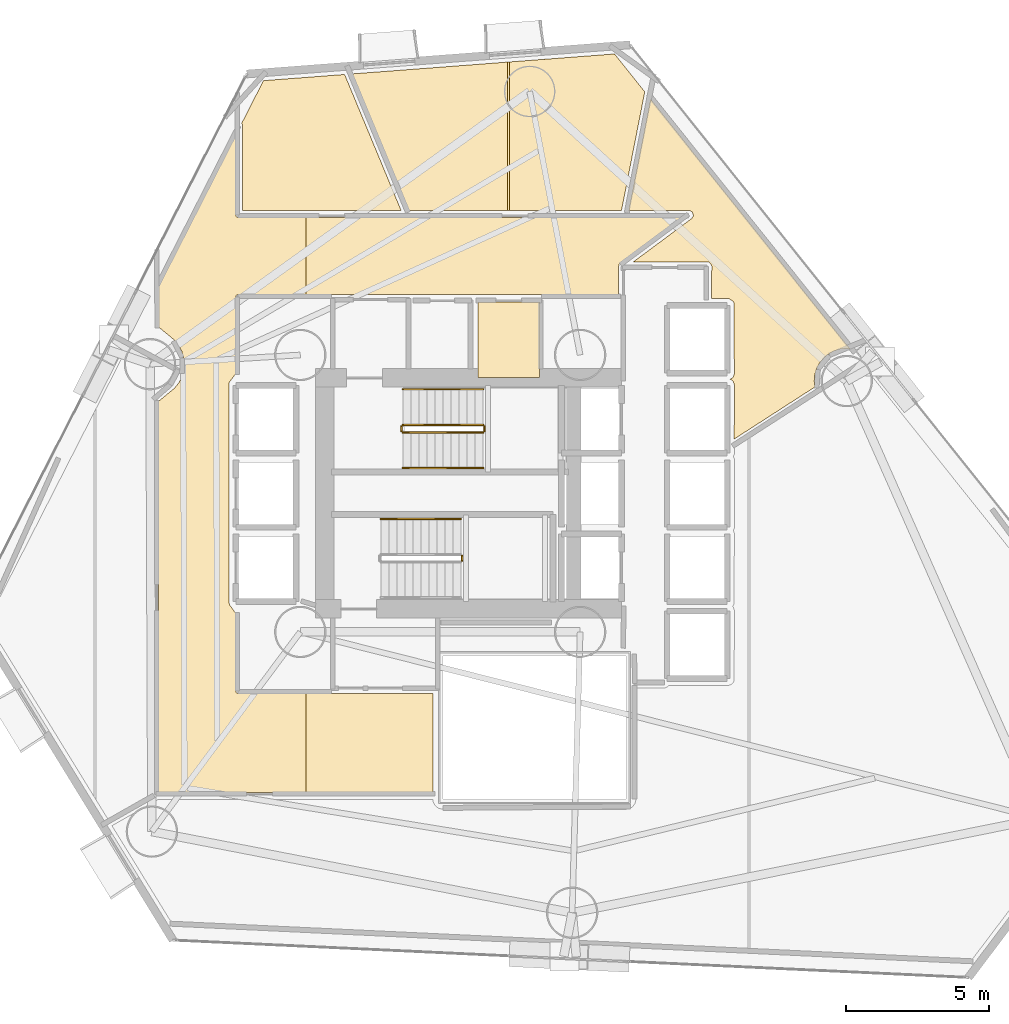
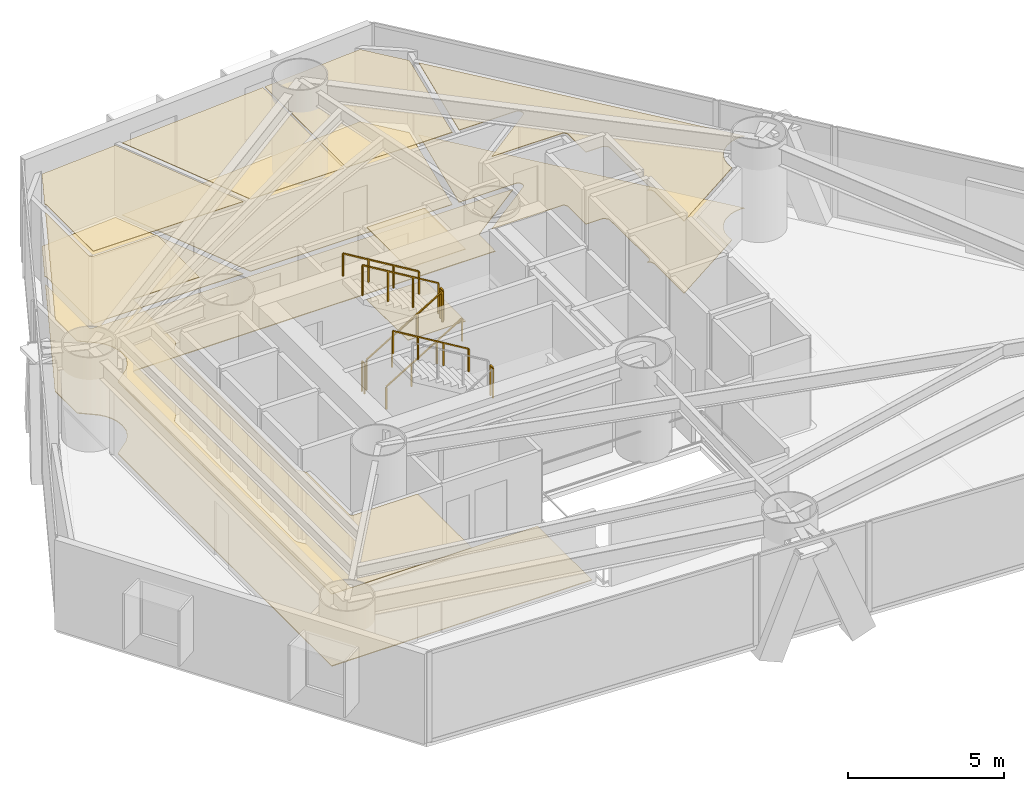
# One storey, part 22 of 23: 11 coverings, 8 railings.
"""IFC4 building model written with IfcOpenShell, lengths in metres."""

from ifc_helpers import new_model, si_unit, direction, frame, origin, origin_2d, place, context, subcontext, project, spatial, polyline, rectangle, outline, extrude, material, layer, layer_set, type_object, element, save


model = new_model("IFC4")

# Units and contexts
model_context = context("Model", 3, precision=1e-05, world=origin(), true_north=direction((0.0, 1.0)))
body_context = subcontext(model_context, "Body", "Model", "MODEL_VIEW")
ifc_project = project(units=[si_unit("LENGTHUNIT", "METRE"), si_unit("AREAUNIT", "SQUARE_METRE"), si_unit("VOLUMEUNIT", "CUBIC_METRE"), si_unit("PLANEANGLEUNIT", "RADIAN"), si_unit("MASSUNIT", "GRAM", prefix="KILO")], contexts=[model_context])

# Site, building, storey
site_placement = place(None, origin())
site = spatial("IfcSite", under=ifc_project, at=site_placement, CompositionType="ELEMENT")
building_placement = place(site_placement, origin())
building = spatial("IfcBuilding", under=site, at=building_placement, Name="Qianvela Tower", CompositionType="ELEMENT")
storey_placement = place(building_placement, frame((0.0, 0.0, 29.39990234375)))
storey = spatial("IfcBuildingStorey", under=building, at=storey_placement, Name="L06", CompositionType="ELEMENT", Elevation=29.39990234375)

# Coverings
ifc_material_1 = material(Name="Perforated Mineral Acoustic Ceiling Tile")
ifc_layer_1 = layer(ifc_material_1, 0.02490234375)
ifc_layer_set_1 = layer_set([ifc_layer_1], Name="Perforated Mineral Acoustic Ceiling Tile")
covering_type_1 = type_object("IfcCoveringType", Name="COV-CEIL-ACOUSTIC-25", PredefinedType="CEILING", material=ifc_layer_set_1)
covering_1_placement = place(storey_placement, frame((0.0, 0.0, 2.815185546875)))
element("IfcCovering", 1, at=covering_1_placement, inside=storey, type_object=covering_type_1, Name="L06 Acoustic Ceiling L06 Core Tea Pantry", PredefinedType="CEILING", context=body_context, shape_type="SweptSolid", body=[
    extrude(outline(polyline([(36.969970703125, 32.760009765625), (34.830078125, 32.760009765625), (34.830078125, 35.39990234375), (36.969970703125, 35.39990234375), (36.969970703125, 32.760009765625)])), origin(), (0.0, 0.0, 1.0), 0.02490234375),
])
covering_2_placement = place(storey_placement, frame((0.0, 0.0, 2.815185546875)))
element("IfcCovering", 2, at=covering_2_placement, inside=storey, type_object=covering_type_1, Name="L06 Acoustic Ceiling Bay 1 L06 Floor Corridor", PredefinedType="CEILING", context=body_context, shape_type="SweptSolid", body=[
    extrude(outline(polyline([(24.514892578125, 33.462158203125), (24.512939453125, 33.4697265625), (24.44921875, 33.6796875), (24.44677734375, 33.687255859375), (24.443359375, 33.6943359375), (24.33984375, 33.887939453125), (24.335693359375, 33.894775390625), (24.3310546875, 33.90087890625), (24.19189453125, 34.07080078125), (24.1865234375, 34.076416015625), (24.1806640625, 34.081787109375), (23.635498046875, 34.529296875), (23.630126953125, 35.9462890625), (26.340087890625, 41.255615234375), (26.340087890625, 38.449951171875), (26.34033203125, 38.442138671875), (26.341552734375, 38.434326171875), (26.343505859375, 38.4267578125), (26.34619140625, 38.41943359375), (26.349365234375, 38.412353515625), (26.353515625, 38.405517578125), (26.358154296875, 38.399169921875), (26.36328125, 38.393310546875), (26.369140625, 38.38818359375), (26.37548828125, 38.383544921875), (26.38232421875, 38.37939453125), (26.389404296875, 38.376220703125), (26.396728515625, 38.373291015625), (26.404296875, 38.37158203125), (26.412109375, 38.370361328125), (26.419921875, 38.3701171875), (28.799560546875, 38.3701171875), (28.799560546875, 35.659912109375), (26.419921875, 35.659912109375), (26.412109375, 35.65966796875), (26.404296875, 35.658447265625), (26.396728515625, 35.656494140625), (26.389404296875, 35.65380859375), (26.38232421875, 35.650634765625), (26.37548828125, 35.646484375), (26.369140625, 35.641845703125), (26.36328125, 35.63671875), (26.358154296875, 35.630859375), (26.353515625, 35.62451171875), (26.349365234375, 35.61767578125), (26.34619140625, 35.610595703125), (26.343505859375, 35.603271484375), (26.341552734375, 35.595703125), (26.34033203125, 35.587890625), (26.340087890625, 35.580078125), (26.340087890625, 32.89599609375), (26.11572265625, 32.593505859375), (26.11181640625, 32.587646484375), (26.108154296875, 32.581298828125), (26.105224609375, 32.574462890625), (26.10302734375, 32.567626953125), (26.101318359375, 32.560546875), (26.100341796875, 32.55322265625), (26.10009765625, 32.5458984375), (26.10009765625, 24.89990234375), (26.100341796875, 24.89208984375), (26.1015625, 24.884521484375), (26.103515625, 24.876708984375), (26.126953125, 24.799072265625), (26.12939453125, 24.79248046875), (26.132080078125, 24.786376953125), (26.135498046875, 24.7802734375), (26.139404296875, 24.774658203125), (26.340087890625, 24.50390625), (26.340087890625, 21.780029296875), (26.34033203125, 21.772216796875), (26.341552734375, 21.764404296875), (26.343505859375, 21.7568359375), (26.34619140625, 21.74951171875), (26.349365234375, 21.7421875), (26.353515625, 21.735595703125), (26.358154296875, 21.729248046875), (26.36328125, 21.723388671875), (26.369140625, 21.71826171875), (26.37548828125, 21.71337890625), (26.38232421875, 21.70947265625), (26.389404296875, 21.7060546875), (26.396728515625, 21.703369140625), (26.404296875, 21.701416015625), (26.412109375, 21.700439453125), (26.419921875, 21.699951171875), (28.799560546875, 21.699951171875), (28.799560546875, 18.22998046875), (23.6298828125, 18.22998046875), (23.6298828125, 31.922119140625), (24.1806640625, 32.374267578125), (24.1865234375, 32.37939453125), (24.19189453125, 32.38525390625), (24.3310546875, 32.554931640625), (24.335693359375, 32.561279296875), (24.33984375, 32.568115234375), (24.49609375, 32.8603515625), (24.49951171875, 32.867431640625), (24.502197265625, 32.875), (24.50390625, 32.882568359375), (24.505126953125, 32.890380859375), (24.53759765625, 33.22021484375), (24.5380859375, 33.22802734375), (24.53759765625, 33.23583984375), (24.51611328125, 33.454345703125), (24.514892578125, 33.462158203125)])), origin(), (0.0, 0.0, 1.0), 0.02490234375),
])
covering_3_placement = place(storey_placement, frame((0.0, 0.0, 2.815185546875)))
element("IfcCovering", 3, at=covering_3_placement, inside=storey, type_object=covering_type_1, Name="L06 Acoustic Ceiling Floor Dining Kitchen L06-03", PredefinedType="CEILING", context=body_context, shape_type="SweptSolid", body=[
    extrude(outline(polyline([(43.640380859375, 32.699951171875), (43.722412109375, 32.739013671875), (43.729248046875, 32.74267578125), (43.73583984375, 32.746826171875), (43.741943359375, 32.751953125), (43.74755859375, 32.757568359375), (43.75244140625, 32.763427734375), (43.7568359375, 32.77001953125), (43.760498046875, 32.777099609375), (43.763427734375, 32.7841796875), (43.79541015625, 32.873046875), (43.79736328125, 32.879638671875), (43.798828125, 32.88671875), (43.7998046875, 32.8935546875), (43.800048828125, 32.900390625), (43.783447265625, 35.366455078125), (43.782958984375, 35.374267578125), (43.78173828125, 35.382080078125), (43.77978515625, 35.3896484375), (43.77734375, 35.39697265625), (43.77392578125, 35.40380859375), (43.77001953125, 35.41064453125), (43.76513671875, 35.4169921875), (43.760009765625, 35.422607421875), (43.754150390625, 35.427978515625), (43.747802734375, 35.4326171875), (43.63818359375, 35.505859375), (43.63134765625, 35.510009765625), (43.62451171875, 35.51318359375), (43.616943359375, 35.515869140625), (43.609375, 35.517822265625), (43.6015625, 35.518798828125), (43.59375, 35.519287109375), (43.0, 35.52001953125), (43.010009765625, 36.6494140625), (43.009765625, 36.6572265625), (43.008544921875, 36.6650390625), (43.006591796875, 36.6728515625), (43.00390625, 36.680419921875), (43.00048828125, 36.6875), (42.99658203125, 36.6943359375), (42.947021484375, 36.768310546875), (42.9423828125, 36.774658203125), (42.937255859375, 36.780517578125), (42.931396484375, 36.78564453125), (42.925048828125, 36.790283203125), (42.91845703125, 36.79443359375), (42.911376953125, 36.7978515625), (42.904052734375, 36.80029296875), (42.896484375, 36.80224609375), (42.888671875, 36.803466796875), (42.880859375, 36.803955078125), (40.26220703125, 36.8095703125), (42.298583984375, 38.321533203125), (42.3046875, 38.32666015625), (42.310302734375, 38.332275390625), (42.315185546875, 38.33837890625), (42.319580078125, 38.34521484375), (42.351318359375, 38.39892578125), (42.35498046875, 38.40576171875), (42.357666015625, 38.41259765625), (42.35986328125, 38.419921875), (42.361328125, 38.42724609375), (42.3623046875, 38.434814453125), (42.3623046875, 38.4423828125), (42.36181640625, 38.449951171875), (42.3603515625, 38.45751953125), (42.3583984375, 38.464599609375), (42.33642578125, 38.53076171875), (42.333740234375, 38.537841796875), (42.330322265625, 38.544677734375), (42.326416015625, 38.551025390625), (42.32177734375, 38.55712890625), (42.316650390625, 38.5625), (42.31103515625, 38.567626953125), (42.304931640625, 38.572265625), (42.298583984375, 38.576171875), (42.291748046875, 38.579345703125), (42.234375, 38.603759765625), (42.226806640625, 38.6064453125), (42.218994140625, 38.6083984375), (42.211181640625, 38.609619140625), (42.203125, 38.610107421875), (40.097412109375, 38.610107421875), (40.86328125, 42.51513671875), (47.855712890625, 33.758056640625), (47.749267578125, 33.77587890625), (47.7421875, 33.77685546875), (47.735107421875, 33.777099609375), (47.728271484375, 33.776611328125), (47.521484375, 33.756103515625), (47.513671875, 33.755126953125), (47.506103515625, 33.753173828125), (47.30712890625, 33.69287109375), (47.2998046875, 33.690185546875), (47.29248046875, 33.68701171875), (47.109375, 33.5888671875), (47.1025390625, 33.5849609375), (47.09619140625, 33.580078125), (46.935791015625, 33.448486328125), (46.929931640625, 33.443115234375), (46.924560546875, 33.437255859375), (46.792724609375, 33.276611328125), (46.7880859375, 33.2705078125), (46.7841796875, 33.263671875), (46.68603515625, 33.080322265625), (46.682861328125, 33.0732421875), (46.68017578125, 33.06591796875), (46.619873046875, 32.866943359375), (46.617919921875, 32.859375), (46.61669921875, 32.8515625), (46.596435546875, 32.644775390625), (46.595947265625, 32.6357421875), (46.5966796875, 32.62646484375), (46.622802734375, 32.4287109375), (43.79541015625, 30.605712890625), (43.800048828125, 32.499755859375), (43.7998046875, 32.506591796875), (43.798828125, 32.513671875), (43.79736328125, 32.520263671875), (43.79541015625, 32.527099609375), (43.763427734375, 32.61572265625), (43.760498046875, 32.623046875), (43.7568359375, 32.6298828125), (43.75244140625, 32.636474609375), (43.74755859375, 32.642578125), (43.741943359375, 32.648193359375), (43.73583984375, 32.653076171875), (43.729248046875, 32.657470703125), (43.722412109375, 32.6611328125), (43.640380859375, 32.699951171875)])), origin(), (0.0, 0.0, 1.0), 0.02490234375),
])
covering_4_placement = place(storey_placement, frame((0.0, 0.0, 2.815185546875)))
element("IfcCovering", 4, at=covering_4_placement, inside=storey, type_object=covering_type_1, Name="L06 Acoustic Ceiling Bay 1 Social Galley Kitchen L06-04", PredefinedType="CEILING", context=body_context, shape_type="SweptSolid", body=[
    extrude(outline(polyline([(35.850830078125, 43.805908203125), (35.850830078125, 38.610107421875), (32.39501953125, 38.610107421875), (30.40869140625, 43.39208984375), (35.850830078125, 43.805908203125)])), origin(), (0.0, 0.0, 1.0), 0.02490234375),
])
covering_5_placement = place(storey_placement, frame((0.0, 0.0, 2.815185546875)))
element("IfcCovering", 5, at=covering_5_placement, inside=storey, type_object=covering_type_1, Name="L06 Acoustic Ceiling Bay 2 Social Galley Kitchen L06-04", PredefinedType="CEILING", context=body_context, shape_type="SweptSolid", body=[
    extrude(outline(polyline([(39.604736328125, 44.091064453125), (40.66357421875, 42.76513671875), (39.8486328125, 38.610107421875), (35.930908203125, 38.610107421875), (35.930908203125, 43.811767578125), (39.604736328125, 44.091064453125)])), origin(), (0.0, 0.0, 1.0), 0.02490234375),
])
covering_6_placement = place(storey_placement, frame((0.0, 0.0, 2.815185546875)))
element("IfcCovering", 6, at=covering_6_placement, inside=storey, type_object=covering_type_1, Name="L06 Acoustic Ceiling Shared Communal Kitchen L06-05", PredefinedType="CEILING", context=body_context, shape_type="SweptSolid", body=[
    extrude(outline(polyline([(26.580078125, 41.588134765625), (26.57958984375, 41.595458984375), (26.57861328125, 41.602783203125), (26.576904296875, 41.60986328125), (26.57470703125, 41.616943359375), (26.57177734375, 41.62353515625), (26.568115234375, 41.6298828125), (26.548095703125, 41.6630859375), (27.310302734375, 43.15673828125), (30.152587890625, 43.372802734375), (32.130615234375, 38.610107421875), (26.580078125, 38.610107421875), (26.580078125, 41.588134765625)])), origin(), (0.0, 0.0, 1.0), 0.02490234375),
])
ifc_material_2 = material(Name="Engineered Acoustic Oak Timber Flooring", Category="wood")
ifc_layer_2 = layer(ifc_material_2, 0.02001953125)
ifc_layer_set_2 = layer_set([ifc_layer_2], Name="Engineered Acoustic Oak Timber Flooring")
covering_type_2 = type_object("IfcCoveringType", Name="COV-FLOOR-OAK-20", PredefinedType="FLOORING", material=ifc_layer_set_2)
covering_7_placement = place(storey_placement, origin())
element("IfcCovering", 7, at=covering_7_placement, inside=storey, type_object=covering_type_2, Name="L06 Finish Flooring L06 Core Tea Pantry", PredefinedType="FLOORING", context=body_context, shape_type="SweptSolid", body=[
    extrude(outline(polyline([(36.969970703125, 32.760009765625), (34.830078125, 32.760009765625), (34.830078125, 35.39990234375), (36.969970703125, 35.39990234375), (36.969970703125, 32.760009765625)])), origin(), (0.0, 0.0, 1.0), 0.02001953125),
])
covering_8_placement = place(storey_placement, origin())
element("IfcCovering", 8, at=covering_8_placement, inside=storey, type_object=covering_type_2, Name="L06 Finish Flooring Floor Dining Kitchen L06-03", PredefinedType="FLOORING", context=body_context, shape_type="SweptSolid", body=[
    extrude(outline(polyline([(43.640380859375, 32.699951171875), (43.722412109375, 32.739013671875), (43.729248046875, 32.74267578125), (43.73583984375, 32.746826171875), (43.741943359375, 32.751953125), (43.74755859375, 32.757568359375), (43.75244140625, 32.763427734375), (43.7568359375, 32.77001953125), (43.760498046875, 32.777099609375), (43.763427734375, 32.7841796875), (43.79541015625, 32.873046875), (43.79736328125, 32.879638671875), (43.798828125, 32.88671875), (43.7998046875, 32.8935546875), (43.800048828125, 32.900390625), (43.783447265625, 35.366455078125), (43.782958984375, 35.374267578125), (43.78173828125, 35.382080078125), (43.77978515625, 35.3896484375), (43.77734375, 35.39697265625), (43.77392578125, 35.40380859375), (43.77001953125, 35.41064453125), (43.76513671875, 35.4169921875), (43.760009765625, 35.422607421875), (43.754150390625, 35.427978515625), (43.747802734375, 35.4326171875), (43.63818359375, 35.505859375), (43.63134765625, 35.510009765625), (43.62451171875, 35.51318359375), (43.616943359375, 35.515869140625), (43.609375, 35.517822265625), (43.6015625, 35.518798828125), (43.59375, 35.519287109375), (43.0, 35.52001953125), (43.010009765625, 36.6494140625), (43.009765625, 36.6572265625), (43.008544921875, 36.6650390625), (43.006591796875, 36.6728515625), (43.00390625, 36.680419921875), (43.00048828125, 36.6875), (42.99658203125, 36.6943359375), (42.947021484375, 36.768310546875), (42.9423828125, 36.774658203125), (42.937255859375, 36.780517578125), (42.931396484375, 36.78564453125), (42.925048828125, 36.790283203125), (42.91845703125, 36.79443359375), (42.911376953125, 36.7978515625), (42.904052734375, 36.80029296875), (42.896484375, 36.80224609375), (42.888671875, 36.803466796875), (42.880859375, 36.803955078125), (40.26220703125, 36.8095703125), (42.298583984375, 38.321533203125), (42.3046875, 38.32666015625), (42.310302734375, 38.332275390625), (42.315185546875, 38.33837890625), (42.319580078125, 38.34521484375), (42.351318359375, 38.39892578125), (42.35498046875, 38.40576171875), (42.357666015625, 38.41259765625), (42.35986328125, 38.419921875), (42.361328125, 38.42724609375), (42.3623046875, 38.434814453125), (42.3623046875, 38.4423828125), (42.36181640625, 38.449951171875), (42.3603515625, 38.45751953125), (42.3583984375, 38.464599609375), (42.33642578125, 38.53076171875), (42.333740234375, 38.537841796875), (42.330322265625, 38.544677734375), (42.326416015625, 38.551025390625), (42.32177734375, 38.55712890625), (42.316650390625, 38.5625), (42.31103515625, 38.567626953125), (42.304931640625, 38.572265625), (42.298583984375, 38.576171875), (42.291748046875, 38.579345703125), (42.234375, 38.603759765625), (42.226806640625, 38.6064453125), (42.218994140625, 38.6083984375), (42.211181640625, 38.609619140625), (42.203125, 38.610107421875), (40.097412109375, 38.610107421875), (40.86328125, 42.51513671875), (47.855712890625, 33.758056640625), (47.749267578125, 33.77587890625), (47.7421875, 33.77685546875), (47.735107421875, 33.777099609375), (47.728271484375, 33.776611328125), (47.521484375, 33.756103515625), (47.513671875, 33.755126953125), (47.506103515625, 33.753173828125), (47.30712890625, 33.69287109375), (47.2998046875, 33.690185546875), (47.29248046875, 33.68701171875), (47.109375, 33.5888671875), (47.1025390625, 33.5849609375), (47.09619140625, 33.580078125), (46.935791015625, 33.448486328125), (46.929931640625, 33.443115234375), (46.924560546875, 33.437255859375), (46.792724609375, 33.276611328125), (46.7880859375, 33.2705078125), (46.7841796875, 33.263671875), (46.68603515625, 33.080322265625), (46.682861328125, 33.0732421875), (46.68017578125, 33.06591796875), (46.619873046875, 32.866943359375), (46.617919921875, 32.859375), (46.61669921875, 32.8515625), (46.596435546875, 32.644775390625), (46.595947265625, 32.6357421875), (46.5966796875, 32.62646484375), (46.622802734375, 32.4287109375), (43.79541015625, 30.605712890625), (43.800048828125, 32.499755859375), (43.7998046875, 32.506591796875), (43.798828125, 32.513671875), (43.79736328125, 32.520263671875), (43.79541015625, 32.527099609375), (43.763427734375, 32.61572265625), (43.760498046875, 32.623046875), (43.7568359375, 32.6298828125), (43.75244140625, 32.636474609375), (43.74755859375, 32.642578125), (43.741943359375, 32.648193359375), (43.73583984375, 32.653076171875), (43.729248046875, 32.657470703125), (43.722412109375, 32.6611328125), (43.640380859375, 32.699951171875)])), origin(), (0.0, 0.0, 1.0), 0.02001953125),
])
covering_9_placement = place(storey_placement, origin())
element("IfcCovering", 9, at=covering_9_placement, inside=storey, type_object=covering_type_2, Name="L06 Finish Flooring Social Galley Kitchen L06-04", PredefinedType="FLOORING", context=body_context, shape_type="SweptSolid", body=[
    extrude(outline(polyline([(30.40869140625, 43.39208984375), (39.604736328125, 44.091064453125), (40.66357421875, 42.76513671875), (39.8486328125, 38.610107421875), (32.39501953125, 38.610107421875), (30.40869140625, 43.39208984375)])), origin(), (0.0, 0.0, 1.0), 0.02001953125),
])
covering_10_placement = place(storey_placement, origin())
element("IfcCovering", 10, at=covering_10_placement, inside=storey, type_object=covering_type_2, Name="L06 Finish Flooring Shared Communal Kitchen L06-05", PredefinedType="FLOORING", context=body_context, shape_type="SweptSolid", body=[
    extrude(outline(polyline([(26.580078125, 41.588134765625), (26.57958984375, 41.595458984375), (26.57861328125, 41.602783203125), (26.576904296875, 41.60986328125), (26.57470703125, 41.616943359375), (26.57177734375, 41.62353515625), (26.568115234375, 41.6298828125), (26.548095703125, 41.6630859375), (27.310302734375, 43.15673828125), (30.152587890625, 43.372802734375), (32.130615234375, 38.610107421875), (26.580078125, 38.610107421875), (26.580078125, 41.588134765625)])), origin(), (0.0, 0.0, 1.0), 0.02001953125),
])
ifc_material_3 = material(Name="Honed Stone Terrazzo Flooring", Category="masonry")
ifc_layer_3 = layer(ifc_material_3, 0.030029296875)
ifc_layer_set_3 = layer_set([ifc_layer_3], Name="Honed Stone Terrazzo Flooring")
covering_type_3 = type_object("IfcCoveringType", Name="COV-FLOOR-TERRAZZO-30", PredefinedType="FLOORING", material=ifc_layer_set_3)
covering_11_placement = place(storey_placement, origin())
element("IfcCovering", 11, at=covering_11_placement, inside=storey, type_object=covering_type_3, Name="L06 Finish Flooring L06 Floor Corridor", PredefinedType="FLOORING", context=body_context, shape_type="SweptSolid", body=[
    extrude(outline(polyline([(24.51611328125, 33.454345703125), (24.514892578125, 33.462158203125), (24.512939453125, 33.4697265625), (24.44921875, 33.6796875), (24.44677734375, 33.687255859375), (24.443359375, 33.6943359375), (24.33984375, 33.887939453125), (24.335693359375, 33.894775390625), (24.3310546875, 33.90087890625), (24.19189453125, 34.07080078125), (24.1865234375, 34.076416015625), (24.1806640625, 34.081787109375), (23.635498046875, 34.529296875), (23.630126953125, 35.9462890625), (26.340087890625, 41.255615234375), (26.340087890625, 38.449951171875), (26.34033203125, 38.442138671875), (26.341552734375, 38.434326171875), (26.343505859375, 38.4267578125), (26.34619140625, 38.41943359375), (26.349365234375, 38.412353515625), (26.353515625, 38.405517578125), (26.358154296875, 38.399169921875), (26.36328125, 38.393310546875), (26.369140625, 38.38818359375), (26.37548828125, 38.383544921875), (26.38232421875, 38.37939453125), (26.389404296875, 38.376220703125), (26.396728515625, 38.373291015625), (26.404296875, 38.37158203125), (26.412109375, 38.370361328125), (26.419921875, 38.3701171875), (41.961181640625, 38.3701171875), (39.784423828125, 36.753662109375), (39.778076171875, 36.748291015625), (39.772216796875, 36.742431640625), (39.76708984375, 36.736083984375), (39.7626953125, 36.729248046875), (39.759033203125, 36.721923828125), (39.756103515625, 36.71435546875), (39.75390625, 36.70654296875), (39.752685546875, 36.698486328125), (39.752197265625, 36.690185546875), (39.739013671875, 35.659912109375), (26.419921875, 35.659912109375), (26.412109375, 35.65966796875), (26.404296875, 35.658447265625), (26.396728515625, 35.656494140625), (26.389404296875, 35.65380859375), (26.38232421875, 35.650634765625), (26.37548828125, 35.646484375), (26.369140625, 35.641845703125), (26.36328125, 35.63671875), (26.358154296875, 35.630859375), (26.353515625, 35.62451171875), (26.349365234375, 35.61767578125), (26.34619140625, 35.610595703125), (26.343505859375, 35.603271484375), (26.341552734375, 35.595703125), (26.34033203125, 35.587890625), (26.340087890625, 35.580078125), (26.340087890625, 32.89599609375), (26.11572265625, 32.593505859375), (26.11181640625, 32.587646484375), (26.108154296875, 32.581298828125), (26.105224609375, 32.574462890625), (26.10302734375, 32.567626953125), (26.101318359375, 32.560546875), (26.100341796875, 32.55322265625), (26.10009765625, 32.5458984375), (26.10009765625, 24.89990234375), (26.100341796875, 24.89208984375), (26.1015625, 24.884521484375), (26.103515625, 24.876708984375), (26.126953125, 24.799072265625), (26.12939453125, 24.79248046875), (26.132080078125, 24.786376953125), (26.135498046875, 24.7802734375), (26.139404296875, 24.774658203125), (26.340087890625, 24.50390625), (26.340087890625, 21.780029296875), (26.34033203125, 21.772216796875), (26.341552734375, 21.764404296875), (26.343505859375, 21.7568359375), (26.34619140625, 21.74951171875), (26.349365234375, 21.7421875), (26.353515625, 21.735595703125), (26.358154296875, 21.729248046875), (26.36328125, 21.723388671875), (26.369140625, 21.71826171875), (26.37548828125, 21.71337890625), (26.38232421875, 21.70947265625), (26.389404296875, 21.7060546875), (26.396728515625, 21.703369140625), (26.404296875, 21.701416015625), (26.412109375, 21.700439453125), (26.419921875, 21.699951171875), (33.239990234375, 21.699951171875), (33.239990234375, 18.22998046875), (23.6298828125, 18.22998046875), (23.6298828125, 31.922119140625), (24.1806640625, 32.374267578125), (24.1865234375, 32.37939453125), (24.19189453125, 32.38525390625), (24.3310546875, 32.554931640625), (24.335693359375, 32.561279296875), (24.33984375, 32.568115234375), (24.49609375, 32.8603515625), (24.49951171875, 32.867431640625), (24.502197265625, 32.875), (24.50390625, 32.882568359375), (24.505126953125, 32.890380859375), (24.53759765625, 33.22021484375), (24.5380859375, 33.22802734375), (24.53759765625, 33.23583984375), (24.51611328125, 33.454345703125)])), origin(), (0.0, 0.0, 1.0), 0.030029296875),
])

# Railings
ifc_material_4 = material(Name="Painted Tubular Steel Q355B", Category="steel")
railing_type_1 = type_object("IfcRailingType", Name="RL-STAIR-GUARD-1200", PredefinedType="GUARDRAIL", material=ifc_material_4)
railing_1_placement = place(storey_placement, frame((32.199951171875, 30.840087890625, 0.168212890625)))
element("IfcRailing", 12, at=railing_1_placement, inside=storey, type_object=railing_type_1, Name="L06 ST-1 stair guard 1", PredefinedType="GUARDRAIL", context=body_context, shape_type="SweptSolid", body=[
    extrude(rectangle(XDim=0.050048828125, YDim=0.0400390625, at=origin_2d()), frame((0.0, 0.0, 1.179931640625), z_axis=(0.857242210791, 0.0, 0.514913383045), x_axis=(0.0, 1.0, 0.0)), (0.0, 0.0, 1.0), 3.266357421875),
    extrude(rectangle(XDim=0.050048828125, YDim=0.050048828125, at=origin_2d()), origin(), (0.0, 0.0, 1.0), 1.159912109375),
    extrude(rectangle(XDim=0.050048828125, YDim=0.050048828125, at=origin_2d()), frame((0.933349609375, 0.0, 0.560546875)), (0.0, 0.0, 1.0), 1.159912109375),
    extrude(rectangle(XDim=0.050048828125, YDim=0.050048828125, at=origin_2d()), frame((1.86669921875, 0.0, 1.121337890625)), (0.0, 0.0, 1.0), 1.159912109375),
    extrude(rectangle(XDim=0.050048828125, YDim=0.050048828125, at=origin_2d()), frame((2.800048828125, 0.0, 1.681884765625)), (0.0, 0.0, 1.0), 1.159912109375),
])
railing_2_placement = place(storey_placement, frame((35.050048828125, 30.889892578125, 1.85009765625)))
element("IfcRailing", 13, at=railing_2_placement, inside=storey, type_object=railing_type_1, Name="L06 ST-1 stair guard 2", PredefinedType="GUARDRAIL", context=body_context, shape_type="SweptSolid", body=[
    extrude(rectangle(XDim=0.050048828125, YDim=0.0400390625, at=origin_2d()), frame((0.0, 0.0, 1.179931640625), z_axis=(0.0, 1.0, 0.0), x_axis=(-1.0, 0.0, 0.0)), (0.0, 0.0, 1.0), 0.16015625),
    extrude(rectangle(XDim=0.050048828125, YDim=0.050048828125, at=origin_2d()), origin(), (0.0, 0.0, 1.0), 1.159912109375),
    extrude(rectangle(XDim=0.050048828125, YDim=0.050048828125, at=origin_2d()), frame((0.0, 0.16015625, 0.0)), (0.0, 0.0, 1.0), 1.159912109375),
])
railing_3_placement = place(storey_placement, frame((35.0, 31.10009765625, 2.018310546875)))
element("IfcRailing", 14, at=railing_3_placement, inside=storey, type_object=railing_type_1, Name="L06 ST-1 stair guard 3", PredefinedType="GUARDRAIL", context=body_context, shape_type="SweptSolid", body=[
    extrude(rectangle(XDim=0.050048828125, YDim=0.0400390625, at=origin_2d()), frame((0.0, 0.0, 1.179931640625), z_axis=(-0.857242210791, 0.0, 0.514913383045), x_axis=(0.0, -1.0, 0.0)), (0.0, 0.0, 1.0), 3.266357421875),
    extrude(rectangle(XDim=0.050048828125, YDim=0.050048828125, at=origin_2d()), origin(), (0.0, 0.0, 1.0), 1.159912109375),
    extrude(rectangle(XDim=0.050048828125, YDim=0.050048828125, at=origin_2d()), frame((-0.933349609375, 0.0, 0.560546875)), (0.0, 0.0, 1.0), 1.159912109375),
    extrude(rectangle(XDim=0.050048828125, YDim=0.050048828125, at=origin_2d()), frame((-1.86669921875, 0.0, 1.121337890625)), (0.0, 0.0, 1.0), 1.159912109375),
    extrude(rectangle(XDim=0.050048828125, YDim=0.050048828125, at=origin_2d()), frame((-2.800048828125, 0.0, 1.681884765625)), (0.0, 0.0, 1.0), 1.159912109375),
])
railing_4_placement = place(storey_placement, frame((32.14990234375, 30.889892578125, 0.0)))
element("IfcRailing", 15, at=railing_4_placement, inside=storey, type_object=railing_type_1, Name="L06 ST-1 stair guard 4", PredefinedType="GUARDRAIL", context=body_context, shape_type="SweptSolid", body=[
    extrude(rectangle(XDim=0.050048828125, YDim=0.0400390625, at=origin_2d()), frame((0.0, 0.0, 1.179931640625), z_axis=(0.0, 1.0, 0.0), x_axis=(-1.0, 0.0, 0.0)), (0.0, 0.0, 1.0), 0.16015625),
    extrude(rectangle(XDim=0.050048828125, YDim=0.050048828125, at=origin_2d()), origin(), (0.0, 0.0, 1.0), 1.159912109375),
    extrude(rectangle(XDim=0.050048828125, YDim=0.050048828125, at=origin_2d()), frame((0.0, 0.16015625, 0.0)), (0.0, 0.0, 1.0), 1.159912109375),
])
railing_5_placement = place(storey_placement, frame((34.27001953125, 26.35009765625, 1.85009765625)))
element("IfcRailing", 16, at=railing_5_placement, inside=storey, type_object=railing_type_1, Name="L06 ST-2 stair guard 2", PredefinedType="GUARDRAIL", context=body_context, shape_type="SweptSolid", body=[
    extrude(rectangle(XDim=0.050048828125, YDim=0.0400390625, at=origin_2d()), frame((0.0, 0.0, 1.179931640625), z_axis=(0.0, 1.0, 0.0), x_axis=(-1.0, 0.0, 0.0)), (0.0, 0.0, 1.0), 0.159912109375),
    extrude(rectangle(XDim=0.050048828125, YDim=0.050048828125, at=origin_2d()), origin(), (0.0, 0.0, 1.0), 1.159912109375),
    extrude(rectangle(XDim=0.050048828125, YDim=0.050048828125, at=origin_2d()), frame((0.0, 0.159912109375, 0.0)), (0.0, 0.0, 1.0), 1.159912109375),
])
ifc_material_5 = material(Name="Brushed Stainless Steel 304", Category="steel")
railing_type_2 = type_object("IfcRailingType", Name="RL-STAIR-HANDRAIL-900", PredefinedType="HANDRAIL", material=ifc_material_5)
railing_6_placement = place(storey_placement, frame((32.199951171875, 29.590087890625, 0.168212890625)))
element("IfcRailing", 17, at=railing_6_placement, inside=storey, type_object=railing_type_2, Name="L06 ST-1 stair handrail 1", PredefinedType="HANDRAIL", context=body_context, shape_type="SweptSolid", body=[
    extrude(rectangle(XDim=0.050048828125, YDim=0.0400390625, at=origin_2d()), frame((0.0, 0.0, 0.8798828125), z_axis=(0.857242210791, 0.0, 0.514913383045), x_axis=(0.0, 1.0, 0.0)), (0.0, 0.0, 1.0), 3.266357421875),
    extrude(rectangle(XDim=0.050048828125, YDim=0.050048828125, at=origin_2d()), origin(), (0.0, 0.0, 1.0), 0.85986328125),
    extrude(rectangle(XDim=0.050048828125, YDim=0.050048828125, at=origin_2d()), frame((0.933349609375, 0.0, 0.560546875)), (0.0, 0.0, 1.0), 0.85986328125),
    extrude(rectangle(XDim=0.050048828125, YDim=0.050048828125, at=origin_2d()), frame((1.86669921875, 0.0, 1.121337890625)), (0.0, 0.0, 1.0), 0.85986328125),
    extrude(rectangle(XDim=0.050048828125, YDim=0.050048828125, at=origin_2d()), frame((2.800048828125, 0.0, 1.681884765625)), (0.0, 0.0, 1.0), 0.85986328125),
])
for number, where, name in (
    (18, (35.0, 32.35009765625, 2.018310546875), "L06 ST-1 stair handrail 2"),
    (19, (34.219970703125, 27.81005859375, 2.018310546875), "L06 ST-2 stair handrail 2"),
):
    element("IfcRailing", number, at=place(storey_placement, frame(where)), inside=storey, type_object=railing_type_2, Name=name, PredefinedType="HANDRAIL", context=body_context, shape_type="SweptSolid", body=[
        extrude(rectangle(XDim=0.050048828125, YDim=0.0400390625, at=origin_2d()), frame((0.0, 0.0, 0.8798828125), z_axis=(-0.857242210791, 0.0, 0.514913383045), x_axis=(0.0, -1.0, 0.0)), (0.0, 0.0, 1.0), 3.266357421875),
        extrude(rectangle(XDim=0.050048828125, YDim=0.050048828125, at=origin_2d()), origin(), (0.0, 0.0, 1.0), 0.85986328125),
        extrude(rectangle(XDim=0.050048828125, YDim=0.050048828125, at=origin_2d()), frame((-0.933349609375, 0.0, 0.560546875)), (0.0, 0.0, 1.0), 0.85986328125),
        extrude(rectangle(XDim=0.050048828125, YDim=0.050048828125, at=origin_2d()), frame((-1.86669921875, 0.0, 1.121337890625)), (0.0, 0.0, 1.0), 0.85986328125),
        extrude(rectangle(XDim=0.050048828125, YDim=0.050048828125, at=origin_2d()), frame((-2.800048828125, 0.0, 1.681884765625)), (0.0, 0.0, 1.0), 0.85986328125),
    ])

save(model, "model.ifc")
